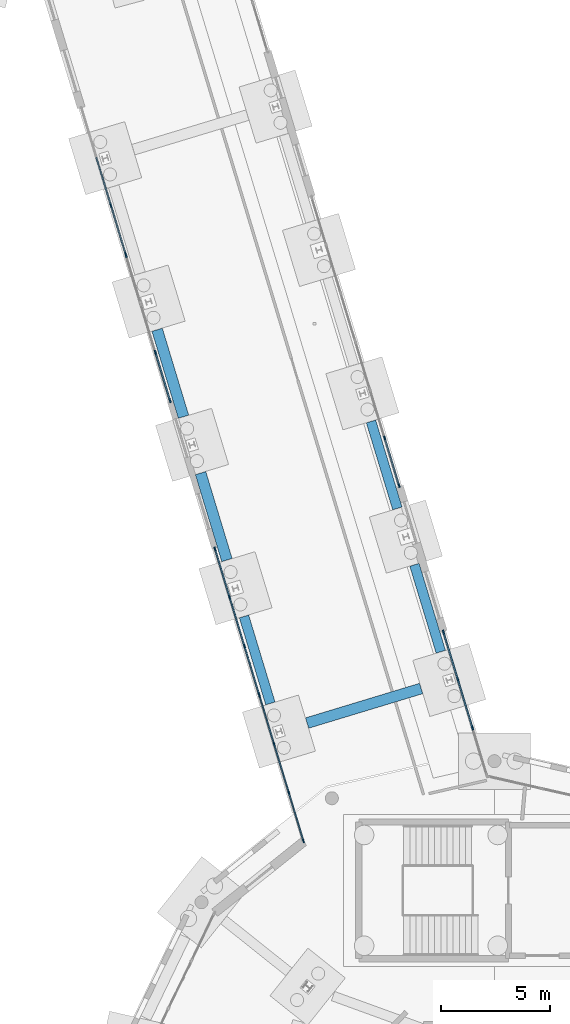
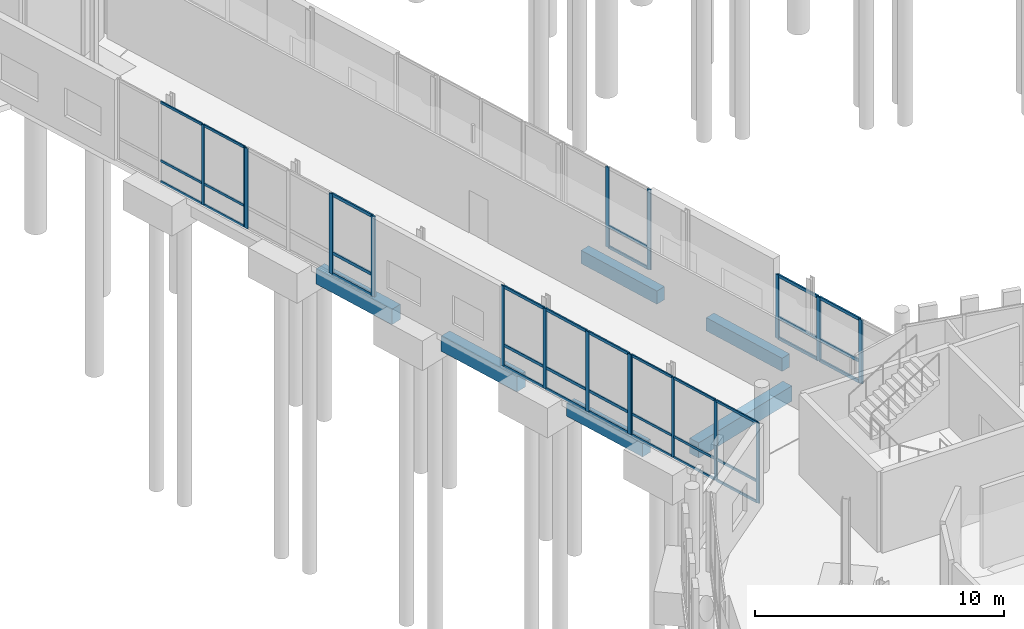
# One storey, part 32 of 113: 53 members, 6 beams, 6 elements without a shape of their own.
"""IFC4 building model written with IfcOpenShell, lengths in metres."""

from ifc_helpers import new_model, si_unit, direction, frame, origin, origin_2d, place, context, subcontext, project, spatial, rectangle, extrude, material, material_profile, profile_set, type_object, element, aggregate, save


model = new_model("IFC4")

# Units and contexts
model_context = context("Model", 3, precision=1e-05, world=origin(), true_north=direction((0.0, 1.0)))
body_context = subcontext(model_context, "Body", "Model", "MODEL_VIEW")
ifc_project = project(units=[si_unit("LENGTHUNIT", "METRE"), si_unit("AREAUNIT", "SQUARE_METRE"), si_unit("VOLUMEUNIT", "CUBIC_METRE"), si_unit("PLANEANGLEUNIT", "RADIAN"), si_unit("MASSUNIT", "GRAM", prefix="KILO")], contexts=[model_context])

# Site, building, storey
site_placement = place(None, origin())
site = spatial("IfcSite", under=ifc_project, at=site_placement, CompositionType="ELEMENT")
building_placement = place(site_placement, origin())
building = spatial("IfcBuilding", under=site, at=building_placement, Name="Wrenclough Park School", CompositionType="ELEMENT")
storey_placement = place(building_placement, origin())
storey = spatial("IfcBuildingStorey", under=building, at=storey_placement, Name="L00", CompositionType="ELEMENT", Elevation=0.0)

# Curtain wall, members
ifc_material_1 = material(Name="Thermally broken aluminium and low-e glass curtain wall", Category="aluminium")
curtain_wall_type_1 = type_object("IfcCurtainWallType", Name="ENV-CW-04", PredefinedType="USERDEFINED", material=ifc_material_1)
curtain_wall_1_placement = place(storey_placement, origin())
curtain_wall_1 = element("IfcCurtainWall", 1, at=curtain_wall_1_placement, inside=storey, type_object=curtain_wall_type_1, Name="L00 recessed curtain wall assembly 003", ObjectType="CURTAIN WALL", PredefinedType="USERDEFINED")
ifc_material_2 = material(Name="Thermally broken anodised aluminium", Category="aluminium")
ifc_material_profile_1 = material_profile(ifc_material_2, rectangle(XDim=0.06005859375, YDim=0.159912109375, at=origin_2d()), Name="AL MULLION 60x160")
ifc_profile_set_1 = profile_set([ifc_material_profile_1], Name="Thermally broken anodised aluminium")
member_type_1 = type_object("IfcMemberType", Name="ENV-CWM-1", PredefinedType="MULLION", material=ifc_profile_set_1)
member_1_placement = place(storey_placement, frame((27.70556640625, 37.073486328125, 0.0), z_axis=(0.0, 0.0, 1.0), x_axis=(-0.957030246116, -0.289988117032, 0.0)))
member_1 = element("IfcMember", 2, at=member_1_placement, type_object=member_type_1, Name="CW-04 mullion 1", PredefinedType="MULLION", context=body_context, shape_type="SweptSolid", body=[
    extrude(rectangle(XDim=0.06005859375, YDim=0.159912109375, at=origin_2d()), origin(), (0.0, 0.0, 1.0), 3.93994140625),
])
member_2_placement = place(storey_placement, frame((27.032470703125, 39.295166015625, 0.0), z_axis=(0.0, 0.0, 1.0), x_axis=(-0.957030246116, -0.289988117032, 0.0)))
member_2 = element("IfcMember", 3, at=member_2_placement, type_object=member_type_1, Name="CW-04 mullion 2", PredefinedType="MULLION", context=body_context, shape_type="SweptSolid", body=[
    extrude(rectangle(XDim=0.06005859375, YDim=0.159912109375, at=origin_2d()), origin(), (0.0, 0.0, 1.0), 3.93994140625),
])
member_3_placement = place(storey_placement, frame((26.3505859375, 41.545654296875, 0.0), z_axis=(0.0, 0.0, 1.0), x_axis=(-0.957030246116, -0.289988117032, 0.0)))
member_3 = element("IfcMember", 4, at=member_3_placement, type_object=member_type_1, Name="CW-04 mullion 3", PredefinedType="MULLION", context=body_context, shape_type="SweptSolid", body=[
    extrude(rectangle(XDim=0.06005859375, YDim=0.159912109375, at=origin_2d()), origin(), (0.0, 0.0, 1.0), 3.93994140625),
])
member_4_placement = place(storey_placement, frame((25.67724609375, 43.767333984375, 0.0), z_axis=(0.0, 0.0, 1.0), x_axis=(-0.957030246116, -0.289988117032, 0.0)))
member_4 = element("IfcMember", 5, at=member_4_placement, type_object=member_type_1, Name="CW-04 mullion 4", PredefinedType="MULLION", context=body_context, shape_type="SweptSolid", body=[
    extrude(rectangle(XDim=0.06005859375, YDim=0.159912109375, at=origin_2d()), origin(), (0.0, 0.0, 1.0), 3.93994140625),
])

curtain_wall_type_2 = type_object("IfcCurtainWallType", Name="ENV-CW-07", PredefinedType="USERDEFINED", material=ifc_material_1)
curtain_wall_2_placement = place(storey_placement, origin())
curtain_wall_2 = element("IfcCurtainWall", 6, at=curtain_wall_2_placement, inside=storey, type_object=curtain_wall_type_2, Name="L00 recessed curtain wall assembly 006", ObjectType="CURTAIN WALL", PredefinedType="USERDEFINED")
member_5_placement = place(storey_placement, frame((19.51318359375, 64.10888671875, 0.0), z_axis=(0.0, 0.0, 1.0), x_axis=(-0.957026311955, -0.290001100386, 0.0)))
member_5 = element("IfcMember", 7, at=member_5_placement, type_object=member_type_1, Name="CW-07 mullion 1", PredefinedType="MULLION", context=body_context, shape_type="SweptSolid", body=[
    extrude(rectangle(XDim=0.06005859375, YDim=0.159912109375, at=origin_2d()), origin(), (0.0, 0.0, 1.0), 3.93994140625),
])
member_6_placement = place(storey_placement, frame((18.83984375, 66.33056640625, 0.0), z_axis=(0.0, 0.0, 1.0), x_axis=(-0.957026311955, -0.290001100386, 0.0)))
member_6 = element("IfcMember", 8, at=member_6_placement, type_object=member_type_1, Name="CW-07 mullion 2", PredefinedType="MULLION", context=body_context, shape_type="SweptSolid", body=[
    extrude(rectangle(XDim=0.06005859375, YDim=0.159912109375, at=origin_2d()), origin(), (0.0, 0.0, 1.0), 3.93994140625),
])

curtain_wall_type_3 = type_object("IfcCurtainWallType", Name="ENV-CW-05", PredefinedType="USERDEFINED", material=ifc_material_1)
curtain_wall_3_placement = place(storey_placement, origin())
curtain_wall_3 = element("IfcCurtainWall", 9, at=curtain_wall_3_placement, inside=storey, type_object=curtain_wall_type_3, Name="L00 recessed curtain wall assembly 004", ObjectType="CURTAIN WALL", PredefinedType="USERDEFINED")
ifc_material_profile_2 = material_profile(ifc_material_2, rectangle(XDim=0.06494140625, YDim=0.179931640625, at=origin_2d()), Name="AL MULLION 65x180")
ifc_profile_set_2 = profile_set([ifc_material_profile_2], Name="Thermally broken anodised aluminium")
member_type_2 = type_object("IfcMemberType", Name="ENV-CWM-2", PredefinedType="MULLION", material=ifc_profile_set_2)
member_7_placement = place(storey_placement, frame((25.65673828125, 43.834716796875, 0.0), z_axis=(0.0, 0.0, 1.0), x_axis=(-0.957026311955, -0.290001100386, 0.0)))
member_7 = element("IfcMember", 10, at=member_7_placement, type_object=member_type_2, Name="CW-05 mullion 1", PredefinedType="MULLION", context=body_context, shape_type="SweptSolid", body=[
    extrude(rectangle(XDim=0.06494140625, YDim=0.179931640625, at=origin_2d()), origin(), (0.0, 0.0, 1.0), 3.93994140625),
])
member_8_placement = place(storey_placement, frame((24.984375, 46.053955078125, 0.0), z_axis=(0.0, 0.0, 1.0), x_axis=(-0.957026311955, -0.290001100386, 0.0)))
member_8 = element("IfcMember", 11, at=member_8_placement, type_object=member_type_2, Name="CW-05 mullion 2", PredefinedType="MULLION", context=body_context, shape_type="SweptSolid", body=[
    extrude(rectangle(XDim=0.06494140625, YDim=0.179931640625, at=origin_2d()), origin(), (0.0, 0.0, 1.0), 3.93994140625),
])
member_9_placement = place(storey_placement, frame((24.30224609375, 48.304443359375, 0.0), z_axis=(0.0, 0.0, 1.0), x_axis=(-0.957026311955, -0.290001100386, 0.0)))
member_9 = element("IfcMember", 12, at=member_9_placement, type_object=member_type_2, Name="CW-05 mullion 3", PredefinedType="MULLION", context=body_context, shape_type="SweptSolid", body=[
    extrude(rectangle(XDim=0.06494140625, YDim=0.179931640625, at=origin_2d()), origin(), (0.0, 0.0, 1.0), 3.93994140625),
])
member_10_placement = place(storey_placement, frame((23.6298828125, 50.523681640625, 0.0), z_axis=(0.0, 0.0, 1.0), x_axis=(-0.957026311955, -0.290001100386, 0.0)))
member_10 = element("IfcMember", 13, at=member_10_placement, type_object=member_type_2, Name="CW-05 mullion 4", PredefinedType="MULLION", context=body_context, shape_type="SweptSolid", body=[
    extrude(rectangle(XDim=0.06494140625, YDim=0.179931640625, at=origin_2d()), origin(), (0.0, 0.0, 1.0), 3.93994140625),
])

curtain_wall_type_4 = type_object("IfcCurtainWallType", Name="ENV-CW-03", PredefinedType="USERDEFINED", material=ifc_material_1)
curtain_wall_4_placement = place(storey_placement, origin())
curtain_wall_4 = element("IfcCurtainWall", 14, at=curtain_wall_4_placement, inside=storey, type_object=curtain_wall_type_4, Name="L00 recessed curtain wall assembly 082", ObjectType="CURTAIN WALL", PredefinedType="USERDEFINED")
member_11_placement = place(storey_placement, frame((31.4453125, 55.628173828125, 0.0), z_axis=(0.0, 0.0, 1.0), x_axis=(0.957028871506, 0.289992653536, 0.0)))
member_11 = element("IfcMember", 15, at=member_11_placement, type_object=member_type_2, Name="CW-03 mullion 3", PredefinedType="MULLION", context=body_context, shape_type="SweptSolid", body=[
    extrude(rectangle(XDim=0.06494140625, YDim=0.179931640625, at=origin_2d()), origin(), (0.0, 0.0, 1.0), 3.93994140625),
])
member_12_placement = place(storey_placement, frame((32.109375, 53.43701171875, 0.0), z_axis=(0.0, 0.0, 1.0), x_axis=(0.957028871506, 0.289992653536, 0.0)))
member_12 = element("IfcMember", 16, at=member_12_placement, type_object=member_type_2, Name="CW-03 mullion 4", PredefinedType="MULLION", context=body_context, shape_type="SweptSolid", body=[
    extrude(rectangle(XDim=0.06494140625, YDim=0.179931640625, at=origin_2d()), origin(), (0.0, 0.0, 1.0), 3.93994140625),
])

curtain_wall_type_5 = type_object("IfcCurtainWallType", Name="ENV-CW-06", PredefinedType="USERDEFINED", material=ifc_material_1)
curtain_wall_5_placement = place(storey_placement, origin())
curtain_wall_5 = element("IfcCurtainWall", 17, at=curtain_wall_5_placement, inside=storey, type_object=curtain_wall_type_5, Name="L00 recessed curtain wall assembly 005", ObjectType="CURTAIN WALL", PredefinedType="USERDEFINED")
ifc_material_profile_3 = material_profile(ifc_material_2, rectangle(XDim=0.070068359375, YDim=0.199951171875, at=origin_2d()), Name="AL MULLION 70x200")
ifc_profile_set_3 = profile_set([ifc_material_profile_3], Name="Thermally broken anodised aluminium")
member_type_3 = type_object("IfcMemberType", Name="ENV-CWM-3", PredefinedType="MULLION", material=ifc_profile_set_3)
member_13_placement = place(storey_placement, frame((21.559814453125, 57.354736328125, 0.0), z_axis=(0.0, 0.0, 1.0), x_axis=(-0.957030246116, -0.289988117032, 0.0)))
member_13 = element("IfcMember", 18, at=member_13_placement, type_object=member_type_3, Name="CW-06 mullion 1", PredefinedType="MULLION", context=body_context, shape_type="SweptSolid", body=[
    extrude(rectangle(XDim=0.070068359375, YDim=0.199951171875, at=origin_2d()), origin(), (0.0, 0.0, 1.0), 3.93994140625),
])
member_14_placement = place(storey_placement, frame((20.887939453125, 59.57177734375, 0.0), z_axis=(0.0, 0.0, 1.0), x_axis=(-0.957030246116, -0.289988117032, 0.0)))
member_14 = element("IfcMember", 19, at=member_14_placement, type_object=member_type_3, Name="CW-06 mullion 2", PredefinedType="MULLION", context=body_context, shape_type="SweptSolid", body=[
    extrude(rectangle(XDim=0.070068359375, YDim=0.199951171875, at=origin_2d()), origin(), (0.0, 0.0, 1.0), 3.93994140625),
])
member_15_placement = place(storey_placement, frame((19.534423828125, 64.0390625, 0.0), z_axis=(0.0, 0.0, 1.0), x_axis=(-0.957030246116, -0.289988117032, 0.0)))
member_15 = element("IfcMember", 20, at=member_15_placement, type_object=member_type_3, Name="CW-06 mullion 4", PredefinedType="MULLION", context=body_context, shape_type="SweptSolid", body=[
    extrude(rectangle(XDim=0.070068359375, YDim=0.199951171875, at=origin_2d()), origin(), (0.0, 0.0, 1.0), 3.93994140625),
])

curtain_wall_6_placement = place(storey_placement, origin())
curtain_wall_6 = element("IfcCurtainWall", 21, at=curtain_wall_6_placement, inside=storey, type_object=curtain_wall_type_1, Name="L00 recessed curtain wall assembly 083", ObjectType="CURTAIN WALL", PredefinedType="USERDEFINED")
member_16_placement = place(storey_placement, frame((34.15380859375, 46.6904296875, 0.0), z_axis=(0.0, 0.0, 1.0), x_axis=(0.957030078705, 0.289988669528, 0.0)))
member_16 = element("IfcMember", 22, at=member_16_placement, type_object=member_type_3, Name="CW-04 mullion 1", PredefinedType="MULLION", context=body_context, shape_type="SweptSolid", body=[
    extrude(rectangle(XDim=0.070068359375, YDim=0.199951171875, at=origin_2d()), origin(), (0.0, 0.0, 1.0), 3.132080078125),
])
member_17_placement = place(storey_placement, frame((34.817138671875, 44.501708984375, 0.0), z_axis=(0.0, 0.0, 1.0), x_axis=(0.957030078705, 0.289988669528, 0.0)))
member_17 = element("IfcMember", 23, at=member_17_placement, type_object=member_type_3, Name="CW-04 mullion 2", PredefinedType="MULLION", context=body_context, shape_type="SweptSolid", body=[
    extrude(rectangle(XDim=0.070068359375, YDim=0.199951171875, at=origin_2d()), origin(), (0.0, 0.0, 1.0), 3.132080078125),
])
member_18_placement = place(storey_placement, frame((35.490478515625, 42.279541015625, 0.0), z_axis=(0.0, 0.0, 1.0), x_axis=(0.957030078705, 0.289988669528, 0.0)))
member_18 = element("IfcMember", 24, at=member_18_placement, type_object=member_type_3, Name="CW-04 mullion 3", PredefinedType="MULLION", context=body_context, shape_type="SweptSolid", body=[
    extrude(rectangle(XDim=0.070068359375, YDim=0.199951171875, at=origin_2d()), origin(), (0.0, 0.0, 1.0), 3.132080078125),
])

# Member
ifc_material_profile_4 = material_profile(ifc_material_2, rectangle(XDim=0.06005859375, YDim=0.1201171875, at=origin_2d()), Name="AL TRANSOM 60x120")
ifc_profile_set_4 = profile_set([ifc_material_profile_4], Name="Thermally broken anodised aluminium")
member_type_4 = type_object("IfcMemberType", Name="ENV-CWT-1", PredefinedType="USERDEFINED", material=ifc_profile_set_4)
member_19_placement = place(storey_placement, frame((27.697021484375, 37.10205078125, 0.030029296875), z_axis=(-0.290070314408, 0.957005335774, 0.0), x_axis=(-0.957005335774, -0.290070314408, 0.0)))
member_19 = element("IfcMember", 25, at=member_19_placement, type_object=member_type_4, Name="CW-04 transom 1.1", ObjectType="TRANSOM", PredefinedType="USERDEFINED", context=body_context, shape_type="SweptSolid", body=[
    extrude(rectangle(XDim=0.06005859375, YDim=0.1201171875, at=origin_2d()), origin(), (0.0, 0.0, 1.0), 2.261474609375),
])

member_20_placement = place(storey_placement, frame((27.697021484375, 37.10205078125, 1.050048828125), z_axis=(-0.290070314408, 0.957005335774, 0.0), x_axis=(-0.957005335774, -0.290070314408, 0.0)))
member_20 = element("IfcMember", 26, at=member_20_placement, type_object=member_type_4, Name="CW-04 transom 1.2", ObjectType="TRANSOM", PredefinedType="USERDEFINED", context=body_context, shape_type="SweptSolid", body=[
    extrude(rectangle(XDim=0.06005859375, YDim=0.1201171875, at=origin_2d()), origin(), (0.0, 0.0, 1.0), 2.261474609375),
])

member_21_placement = place(storey_placement, frame((27.697021484375, 37.10205078125, 3.909912109375), z_axis=(-0.290070314408, 0.957005335774, 0.0), x_axis=(-0.957005335774, -0.290070314408, 0.0)))
member_21 = element("IfcMember", 27, at=member_21_placement, type_object=member_type_4, Name="CW-04 transom 1.3", ObjectType="TRANSOM", PredefinedType="USERDEFINED", context=body_context, shape_type="SweptSolid", body=[
    extrude(rectangle(XDim=0.06005859375, YDim=0.1201171875, at=origin_2d()), origin(), (0.0, 0.0, 1.0), 2.261474609375),
])

member_22_placement = place(storey_placement, frame((27.023681640625, 39.32373046875, 0.030029296875), z_axis=(-0.289995567696, 0.957027988471, 0.0), x_axis=(-0.957027988471, -0.289995567696, 0.0)))
member_22 = element("IfcMember", 28, at=member_22_placement, type_object=member_type_4, Name="CW-04 transom 2.1", ObjectType="TRANSOM", PredefinedType="USERDEFINED", context=body_context, shape_type="SweptSolid", body=[
    extrude(rectangle(XDim=0.06005859375, YDim=0.1201171875, at=origin_2d()), origin(), (0.0, 0.0, 1.0), 2.29150390625),
])

member_23_placement = place(storey_placement, frame((27.023681640625, 39.32373046875, 1.050048828125), z_axis=(-0.289995567696, 0.957027988471, 0.0), x_axis=(-0.957027988471, -0.289995567696, 0.0)))
member_23 = element("IfcMember", 29, at=member_23_placement, type_object=member_type_4, Name="CW-04 transom 2.2", ObjectType="TRANSOM", PredefinedType="USERDEFINED", context=body_context, shape_type="SweptSolid", body=[
    extrude(rectangle(XDim=0.06005859375, YDim=0.1201171875, at=origin_2d()), origin(), (0.0, 0.0, 1.0), 2.29150390625),
])

member_24_placement = place(storey_placement, frame((27.023681640625, 39.32373046875, 3.909912109375), z_axis=(-0.289995567696, 0.957027988471, 0.0), x_axis=(-0.957027988471, -0.289995567696, 0.0)))
member_24 = element("IfcMember", 30, at=member_24_placement, type_object=member_type_4, Name="CW-04 transom 2.3", ObjectType="TRANSOM", PredefinedType="USERDEFINED", context=body_context, shape_type="SweptSolid", body=[
    extrude(rectangle(XDim=0.06005859375, YDim=0.1201171875, at=origin_2d()), origin(), (0.0, 0.0, 1.0), 2.29150390625),
])

member_25_placement = place(storey_placement, frame((26.341796875, 41.57421875, 0.030029296875), z_axis=(-0.289971439809, 0.957035299294, 0.0), x_axis=(-0.957035299294, -0.289971439809, 0.0)))
member_25 = element("IfcMember", 31, at=member_25_placement, type_object=member_type_4, Name="CW-04 transom 3.1", ObjectType="TRANSOM", PredefinedType="USERDEFINED", context=body_context, shape_type="SweptSolid", body=[
    extrude(rectangle(XDim=0.06005859375, YDim=0.1201171875, at=origin_2d()), origin(), (0.0, 0.0, 1.0), 2.261474609375),
])

member_26_placement = place(storey_placement, frame((26.341796875, 41.57421875, 1.050048828125), z_axis=(-0.289971439809, 0.957035299294, 0.0), x_axis=(-0.957035299294, -0.289971439809, 0.0)))
member_26 = element("IfcMember", 32, at=member_26_placement, type_object=member_type_4, Name="CW-04 transom 3.2", ObjectType="TRANSOM", PredefinedType="USERDEFINED", context=body_context, shape_type="SweptSolid", body=[
    extrude(rectangle(XDim=0.06005859375, YDim=0.1201171875, at=origin_2d()), origin(), (0.0, 0.0, 1.0), 2.261474609375),
])

member_27_placement = place(storey_placement, frame((26.341796875, 41.57421875, 3.909912109375), z_axis=(-0.289971439809, 0.957035299294, 0.0), x_axis=(-0.957035299294, -0.289971439809, 0.0)))
member_27 = element("IfcMember", 33, at=member_27_placement, type_object=member_type_4, Name="CW-04 transom 3.3", ObjectType="TRANSOM", PredefinedType="USERDEFINED", context=body_context, shape_type="SweptSolid", body=[
    extrude(rectangle(XDim=0.06005859375, YDim=0.1201171875, at=origin_2d()), origin(), (0.0, 0.0, 1.0), 2.261474609375),
])

aggregate(curtain_wall_1, [member_1, member_2, member_3, member_4, member_19, member_20, member_21, member_22, member_23, member_24, member_25, member_26, member_27])

member_28_placement = place(storey_placement, frame((19.50439453125, 64.1376953125, 0.030029296875), z_axis=(-0.289971439809, 0.957035299294, 0.0), x_axis=(-0.957035299294, -0.289971439809, 0.0)))
member_28 = element("IfcMember", 34, at=member_28_placement, type_object=member_type_4, Name="CW-07 transom 1.1", ObjectType="TRANSOM", PredefinedType="USERDEFINED", context=body_context, shape_type="SweptSolid", body=[
    extrude(rectangle(XDim=0.06005859375, YDim=0.1201171875, at=origin_2d()), origin(), (0.0, 0.0, 1.0), 2.261474609375),
])

member_29_placement = place(storey_placement, frame((19.50439453125, 64.1376953125, 1.050048828125), z_axis=(-0.289971439809, 0.957035299294, 0.0), x_axis=(-0.957035299294, -0.289971439809, 0.0)))
member_29 = element("IfcMember", 35, at=member_29_placement, type_object=member_type_4, Name="CW-07 transom 1.2", ObjectType="TRANSOM", PredefinedType="USERDEFINED", context=body_context, shape_type="SweptSolid", body=[
    extrude(rectangle(XDim=0.06005859375, YDim=0.1201171875, at=origin_2d()), origin(), (0.0, 0.0, 1.0), 2.261474609375),
])

member_30_placement = place(storey_placement, frame((19.50439453125, 64.1376953125, 3.909912109375), z_axis=(-0.289971439809, 0.957035299294, 0.0), x_axis=(-0.957035299294, -0.289971439809, 0.0)))
member_30 = element("IfcMember", 36, at=member_30_placement, type_object=member_type_4, Name="CW-07 transom 1.3", ObjectType="TRANSOM", PredefinedType="USERDEFINED", context=body_context, shape_type="SweptSolid", body=[
    extrude(rectangle(XDim=0.06005859375, YDim=0.1201171875, at=origin_2d()), origin(), (0.0, 0.0, 1.0), 2.261474609375),
])

member_31_placement = place(storey_placement, frame((18.8310546875, 66.359375, 0.030029296875), z_axis=(-0.289927547607, 0.957048597062, 0.0), x_axis=(-0.957048597062, -0.289927547607, 0.0)))
member_31 = element("IfcMember", 37, at=member_31_placement, type_object=member_type_4, Name="CW-07 transom 2.1", ObjectType="TRANSOM", PredefinedType="USERDEFINED", context=body_context, shape_type="SweptSolid", body=[
    extrude(rectangle(XDim=0.06005859375, YDim=0.1201171875, at=origin_2d()), origin(), (0.0, 0.0, 1.0), 2.291259765625),
])

member_32_placement = place(storey_placement, frame((18.8310546875, 66.359375, 1.050048828125), z_axis=(-0.289927547607, 0.957048597062, 0.0), x_axis=(-0.957048597062, -0.289927547607, 0.0)))
member_32 = element("IfcMember", 38, at=member_32_placement, type_object=member_type_4, Name="CW-07 transom 2.2", ObjectType="TRANSOM", PredefinedType="USERDEFINED", context=body_context, shape_type="SweptSolid", body=[
    extrude(rectangle(XDim=0.06005859375, YDim=0.1201171875, at=origin_2d()), origin(), (0.0, 0.0, 1.0), 2.291259765625),
])

member_33_placement = place(storey_placement, frame((18.8310546875, 66.359375, 3.909912109375), z_axis=(-0.289927547607, 0.957048597062, 0.0), x_axis=(-0.957048597062, -0.289927547607, 0.0)))
member_33 = element("IfcMember", 39, at=member_33_placement, type_object=member_type_4, Name="CW-07 transom 2.3", ObjectType="TRANSOM", PredefinedType="USERDEFINED", context=body_context, shape_type="SweptSolid", body=[
    extrude(rectangle(XDim=0.06005859375, YDim=0.1201171875, at=origin_2d()), origin(), (0.0, 0.0, 1.0), 2.291259765625),
])

aggregate(curtain_wall_2, [member_5, member_6, member_28, member_29, member_30, member_31, member_32, member_33])

ifc_material_profile_5 = material_profile(ifc_material_2, rectangle(XDim=0.06494140625, YDim=0.139892578125, at=origin_2d()), Name="AL TRANSOM 65x140")
ifc_profile_set_5 = profile_set([ifc_material_profile_5], Name="Thermally broken anodised aluminium")
member_type_5 = type_object("IfcMemberType", Name="ENV-CWT-2", PredefinedType="USERDEFINED", material=ifc_profile_set_5)
member_34_placement = place(storey_placement, frame((25.6474609375, 43.86572265625, 0.032470703125), z_axis=(-0.290049479451, 0.957011650645, 0.0), x_axis=(-0.957011650645, -0.290049479451, 0.0)))
member_34 = element("IfcMember", 40, at=member_34_placement, type_object=member_type_5, Name="CW-05 transom 1.1", ObjectType="TRANSOM", PredefinedType="USERDEFINED", context=body_context, shape_type="SweptSolid", body=[
    extrude(rectangle(XDim=0.06494140625, YDim=0.139892578125, at=origin_2d()), origin(), (0.0, 0.0, 1.0), 2.254150390625),
])

member_35_placement = place(storey_placement, frame((25.6474609375, 43.86572265625, 1.050048828125), z_axis=(-0.290049479451, 0.957011650645, 0.0), x_axis=(-0.957011650645, -0.290049479451, 0.0)))
member_35 = element("IfcMember", 41, at=member_35_placement, type_object=member_type_5, Name="CW-05 transom 1.2", ObjectType="TRANSOM", PredefinedType="USERDEFINED", context=body_context, shape_type="SweptSolid", body=[
    extrude(rectangle(XDim=0.06494140625, YDim=0.139892578125, at=origin_2d()), origin(), (0.0, 0.0, 1.0), 2.254150390625),
])

member_36_placement = place(storey_placement, frame((25.6474609375, 43.86572265625, 3.907470703125), z_axis=(-0.290049479451, 0.957011650645, 0.0), x_axis=(-0.957011650645, -0.290049479451, 0.0)))
member_36 = element("IfcMember", 42, at=member_36_placement, type_object=member_type_5, Name="CW-05 transom 1.3", ObjectType="TRANSOM", PredefinedType="USERDEFINED", context=body_context, shape_type="SweptSolid", body=[
    extrude(rectangle(XDim=0.06494140625, YDim=0.139892578125, at=origin_2d()), origin(), (0.0, 0.0, 1.0), 2.254150390625),
])

member_37_placement = place(storey_placement, frame((24.974853515625, 46.085205078125, 0.032470703125), z_axis=(-0.29000146831, 0.957026200466, 0.0), x_axis=(-0.957026200466, -0.29000146831, 0.0)))
member_37 = element("IfcMember", 43, at=member_37_placement, type_object=member_type_5, Name="CW-05 transom 2.1", ObjectType="TRANSOM", PredefinedType="USERDEFINED", context=body_context, shape_type="SweptSolid", body=[
    extrude(rectangle(XDim=0.06494140625, YDim=0.139892578125, at=origin_2d()), origin(), (0.0, 0.0, 1.0), 2.286376953125),
])

member_38_placement = place(storey_placement, frame((24.974853515625, 46.085205078125, 1.050048828125), z_axis=(-0.29000146831, 0.957026200466, 0.0), x_axis=(-0.957026200466, -0.29000146831, 0.0)))
member_38 = element("IfcMember", 44, at=member_38_placement, type_object=member_type_5, Name="CW-05 transom 2.2", ObjectType="TRANSOM", PredefinedType="USERDEFINED", context=body_context, shape_type="SweptSolid", body=[
    extrude(rectangle(XDim=0.06494140625, YDim=0.139892578125, at=origin_2d()), origin(), (0.0, 0.0, 1.0), 2.286376953125),
])

member_39_placement = place(storey_placement, frame((24.974853515625, 46.085205078125, 3.907470703125), z_axis=(-0.29000146831, 0.957026200466, 0.0), x_axis=(-0.957026200466, -0.29000146831, 0.0)))
member_39 = element("IfcMember", 45, at=member_39_placement, type_object=member_type_5, Name="CW-05 transom 2.3", ObjectType="TRANSOM", PredefinedType="USERDEFINED", context=body_context, shape_type="SweptSolid", body=[
    extrude(rectangle(XDim=0.06494140625, YDim=0.139892578125, at=origin_2d()), origin(), (0.0, 0.0, 1.0), 2.286376953125),
])

member_40_placement = place(storey_placement, frame((24.29296875, 48.33544921875, 0.032470703125), z_axis=(-0.290049479451, 0.957011650645, 0.0), x_axis=(-0.957011650645, -0.290049479451, 0.0)))
member_40 = element("IfcMember", 46, at=member_40_placement, type_object=member_type_5, Name="CW-05 transom 3.1", ObjectType="TRANSOM", PredefinedType="USERDEFINED", context=body_context, shape_type="SweptSolid", body=[
    extrude(rectangle(XDim=0.06494140625, YDim=0.139892578125, at=origin_2d()), origin(), (0.0, 0.0, 1.0), 2.254150390625),
])

member_41_placement = place(storey_placement, frame((24.29296875, 48.33544921875, 1.050048828125), z_axis=(-0.290049479451, 0.957011650645, 0.0), x_axis=(-0.957011650645, -0.290049479451, 0.0)))
member_41 = element("IfcMember", 47, at=member_41_placement, type_object=member_type_5, Name="CW-05 transom 3.2", ObjectType="TRANSOM", PredefinedType="USERDEFINED", context=body_context, shape_type="SweptSolid", body=[
    extrude(rectangle(XDim=0.06494140625, YDim=0.139892578125, at=origin_2d()), origin(), (0.0, 0.0, 1.0), 2.254150390625),
])

member_42_placement = place(storey_placement, frame((24.29296875, 48.33544921875, 3.907470703125), z_axis=(-0.290049479451, 0.957011650645, 0.0), x_axis=(-0.957011650645, -0.290049479451, 0.0)))
member_42 = element("IfcMember", 48, at=member_42_placement, type_object=member_type_5, Name="CW-05 transom 3.3", ObjectType="TRANSOM", PredefinedType="USERDEFINED", context=body_context, shape_type="SweptSolid", body=[
    extrude(rectangle(XDim=0.06494140625, YDim=0.139892578125, at=origin_2d()), origin(), (0.0, 0.0, 1.0), 2.254150390625),
])

aggregate(curtain_wall_3, [member_7, member_8, member_9, member_10, member_34, member_35, member_36, member_37, member_38, member_39, member_40, member_41, member_42])

member_43_placement = place(storey_placement, frame((31.454833984375, 55.59716796875, 0.032470703125), z_axis=(0.289964749564, -0.957037326341, 0.0), x_axis=(0.957037326341, 0.289964749564, 0.0)))
member_43 = element("IfcMember", 49, at=member_43_placement, type_object=member_type_5, Name="CW-03 transom 3.1", ObjectType="TRANSOM", PredefinedType="USERDEFINED", context=body_context, shape_type="SweptSolid", body=[
    extrude(rectangle(XDim=0.06494140625, YDim=0.139892578125, at=origin_2d()), origin(), (0.0, 0.0, 1.0), 2.224365234375),
])

member_44_placement = place(storey_placement, frame((31.454833984375, 55.59716796875, 1.050048828125), z_axis=(0.289964749564, -0.957037326341, 0.0), x_axis=(0.957037326341, 0.289964749564, 0.0)))
member_44 = element("IfcMember", 50, at=member_44_placement, type_object=member_type_5, Name="CW-03 transom 3.2", ObjectType="TRANSOM", PredefinedType="USERDEFINED", context=body_context, shape_type="SweptSolid", body=[
    extrude(rectangle(XDim=0.06494140625, YDim=0.139892578125, at=origin_2d()), origin(), (0.0, 0.0, 1.0), 2.224365234375),
])

aggregate(curtain_wall_4, [member_11, member_12, member_43, member_44])

ifc_material_profile_6 = material_profile(ifc_material_2, rectangle(XDim=0.070068359375, YDim=0.14990234375, at=origin_2d()), Name="AL TRANSOM 70x150")
ifc_profile_set_6 = profile_set([ifc_material_profile_6], Name="Thermally broken anodised aluminium")
member_type_6 = type_object("IfcMemberType", Name="ENV-CWT-3", PredefinedType="USERDEFINED", material=ifc_profile_set_6)
member_45_placement = place(storey_placement, frame((21.549560546875, 57.38818359375, 0.034912109375), z_axis=(-0.289928977127, 0.957048164003, 0.0), x_axis=(-0.957048164003, -0.289928977127, 0.0)))
member_45 = element("IfcMember", 51, at=member_45_placement, type_object=member_type_6, Name="CW-06 transom 1.1", ObjectType="TRANSOM", PredefinedType="USERDEFINED", context=body_context, shape_type="SweptSolid", body=[
    extrude(rectangle(XDim=0.070068359375, YDim=0.14990234375, at=origin_2d()), origin(), (0.0, 0.0, 1.0), 2.24658203125),
])

member_46_placement = place(storey_placement, frame((21.549560546875, 57.38818359375, 1.050048828125), z_axis=(-0.289928977127, 0.957048164003, 0.0), x_axis=(-0.957048164003, -0.289928977127, 0.0)))
member_46 = element("IfcMember", 52, at=member_46_placement, type_object=member_type_6, Name="CW-06 transom 1.2", ObjectType="TRANSOM", PredefinedType="USERDEFINED", context=body_context, shape_type="SweptSolid", body=[
    extrude(rectangle(XDim=0.070068359375, YDim=0.14990234375, at=origin_2d()), origin(), (0.0, 0.0, 1.0), 2.24658203125),
])

member_47_placement = place(storey_placement, frame((21.549560546875, 57.38818359375, 3.905029296875), z_axis=(-0.289928977127, 0.957048164003, 0.0), x_axis=(-0.957048164003, -0.289928977127, 0.0)))
member_47 = element("IfcMember", 53, at=member_47_placement, type_object=member_type_6, Name="CW-06 transom 1.3", ObjectType="TRANSOM", PredefinedType="USERDEFINED", context=body_context, shape_type="SweptSolid", body=[
    extrude(rectangle(XDim=0.070068359375, YDim=0.14990234375, at=origin_2d()), origin(), (0.0, 0.0, 1.0), 2.24658203125),
])

aggregate(curtain_wall_5, [member_13, member_14, member_15, member_45, member_46, member_47])

member_48_placement = place(storey_placement, frame((34.1640625, 46.656982421875, 0.034912109375), z_axis=(0.289943212598, -0.957043851382, 0.0), x_axis=(0.957043851382, 0.289943212598, 0.0)))
member_48 = element("IfcMember", 54, at=member_48_placement, type_object=member_type_6, Name="CW-04 transom 1.1", ObjectType="TRANSOM", PredefinedType="USERDEFINED", context=body_context, shape_type="SweptSolid", body=[
    extrude(rectangle(XDim=0.070068359375, YDim=0.14990234375, at=origin_2d()), origin(), (0.0, 0.0, 1.0), 2.217041015625),
])

member_49_placement = place(storey_placement, frame((34.1640625, 46.656982421875, 1.050048828125), z_axis=(0.289943212598, -0.957043851382, 0.0), x_axis=(0.957043851382, 0.289943212598, 0.0)))
member_49 = element("IfcMember", 55, at=member_49_placement, type_object=member_type_6, Name="CW-04 transom 1.2", ObjectType="TRANSOM", PredefinedType="USERDEFINED", context=body_context, shape_type="SweptSolid", body=[
    extrude(rectangle(XDim=0.070068359375, YDim=0.14990234375, at=origin_2d()), origin(), (0.0, 0.0, 1.0), 2.217041015625),
])

member_50_placement = place(storey_placement, frame((34.1640625, 46.656982421875, 3.096923828125), z_axis=(0.289943212598, -0.957043851382, 0.0), x_axis=(0.957043851382, 0.289943212598, 0.0)))
member_50 = element("IfcMember", 56, at=member_50_placement, type_object=member_type_6, Name="CW-04 transom 1.3", ObjectType="TRANSOM", PredefinedType="USERDEFINED", context=body_context, shape_type="SweptSolid", body=[
    extrude(rectangle(XDim=0.070068359375, YDim=0.14990234375, at=origin_2d()), origin(), (0.0, 0.0, 1.0), 2.217041015625),
])

member_51_placement = place(storey_placement, frame((34.8271484375, 44.46826171875, 0.034912109375), z_axis=(0.289992351194, -0.957028963119, 0.0), x_axis=(0.957028963119, 0.289992351194, 0.0)))
member_51 = element("IfcMember", 57, at=member_51_placement, type_object=member_type_6, Name="CW-04 transom 2.1", ObjectType="TRANSOM", PredefinedType="USERDEFINED", context=body_context, shape_type="SweptSolid", body=[
    extrude(rectangle(XDim=0.070068359375, YDim=0.14990234375, at=origin_2d()), origin(), (0.0, 0.0, 1.0), 2.251953125),
])

member_52_placement = place(storey_placement, frame((34.8271484375, 44.46826171875, 1.050048828125), z_axis=(0.289992351194, -0.957028963119, 0.0), x_axis=(0.957028963119, 0.289992351194, 0.0)))
member_52 = element("IfcMember", 58, at=member_52_placement, type_object=member_type_6, Name="CW-04 transom 2.2", ObjectType="TRANSOM", PredefinedType="USERDEFINED", context=body_context, shape_type="SweptSolid", body=[
    extrude(rectangle(XDim=0.070068359375, YDim=0.14990234375, at=origin_2d()), origin(), (0.0, 0.0, 1.0), 2.251953125),
])

member_53_placement = place(storey_placement, frame((34.8271484375, 44.46826171875, 3.096923828125), z_axis=(0.289992351194, -0.957028963119, 0.0), x_axis=(0.957028963119, 0.289992351194, 0.0)))
member_53 = element("IfcMember", 59, at=member_53_placement, type_object=member_type_6, Name="CW-04 transom 2.3", ObjectType="TRANSOM", PredefinedType="USERDEFINED", context=body_context, shape_type="SweptSolid", body=[
    extrude(rectangle(XDim=0.070068359375, YDim=0.14990234375, at=origin_2d()), origin(), (0.0, 0.0, 1.0), 2.251953125),
])

aggregate(curtain_wall_6, [member_16, member_17, member_18, member_48, member_49, member_50, member_51, member_52, member_53])

# Beams
ifc_material_3 = material(Name="Concrete C35/45", Category="concrete")
ifc_material_profile_7 = material_profile(ifc_material_3, rectangle(XDim=0.449951171875, YDim=0.64990234375, at=origin_2d()), Name="RC GROUND 450x650")
ifc_profile_set_7 = profile_set([ifc_material_profile_7], Name="Concrete C35/45")
beam_type_1 = type_object("IfcBeamType", Name="STR-BM-GTB1", PredefinedType="USERDEFINED", material=ifc_profile_set_7)
for number, where, z_axis, x_axis, name in (
    (60, (26.182373046875, 43.41064453125, -0.625), (-0.290020362386, 0.957020474912, 0.0), (-0.957020474912, -0.290020362386, 0.0), "Reinforced concrete ground tie beam 129"),
    (61, (34.030029296875, 45.78857421875, -0.625), (-0.290020362386, 0.957020474912, 0.0), (-0.957020474912, -0.290020362386, 0.0), "Reinforced concrete ground tie beam 131"),
    (62, (32.030029296875, 52.388671875, -0.625), (-0.290020362386, 0.957020474912, 0.0), (-0.957020474912, -0.290020362386, 0.0), "Reinforced concrete ground tie beam 133"),
):
    element("IfcBeam", number, at=place(storey_placement, frame(where, z_axis=z_axis, x_axis=x_axis)), inside=storey, type_object=beam_type_1, Name=name, ObjectType="GROUND TIE BEAM", PredefinedType="USERDEFINED", context=body_context, shape_type="SweptSolid", body=[
        extrude(rectangle(XDim=0.449951171875, YDim=0.64990234375, at=origin_2d()), origin(), (0.0, 0.0, 1.0), 4.180419921875),
    ])
ifc_material_profile_8 = material_profile(ifc_material_3, rectangle(XDim=0.5, YDim=0.75, at=origin_2d()), Name="RC GROUND 500x750")
ifc_profile_set_8 = profile_set([ifc_material_profile_8], Name="Concrete C35/45")
beam_type_2 = type_object("IfcBeamType", Name="STR-BM-GTB2", PredefinedType="USERDEFINED", material=ifc_profile_set_8)
beam_1_placement = place(storey_placement, frame((27.875732421875, 42.5048828125, -0.675048828125), z_axis=(0.957031143535, 0.289985155316, 0.0), x_axis=(-0.289985155316, 0.957031143535, 0.0)))
element("IfcBeam", 63, at=beam_1_placement, inside=storey, type_object=beam_type_2, Name="Reinforced concrete ground tie beam 130", ObjectType="GROUND TIE BEAM", PredefinedType="USERDEFINED", context=body_context, shape_type="SweptSolid", body=[
    extrude(rectangle(XDim=0.5, YDim=0.75, at=origin_2d()), origin(), (0.0, 0.0, 1.0), 5.484130859375),
])
beam_2_placement = place(storey_placement, frame((24.182373046875, 50.010498046875, -0.675048828125), z_axis=(-0.29000415368, 0.957025386731, 0.0), x_axis=(-0.957025386731, -0.29000415368, 0.0)))
element("IfcBeam", 64, at=beam_2_placement, inside=storey, type_object=beam_type_2, Name="Reinforced concrete ground tie beam 132", ObjectType="GROUND TIE BEAM", PredefinedType="USERDEFINED", context=body_context, shape_type="SweptSolid", body=[
    extrude(rectangle(XDim=0.5, YDim=0.75, at=origin_2d()), origin(), (0.0, 0.0, 1.0), 4.1806640625),
])
beam_3_placement = place(storey_placement, frame((22.182373046875, 56.610595703125, -0.675048828125), z_axis=(-0.290020362386, 0.957020474912, 0.0), x_axis=(-0.957020474912, -0.290020362386, 0.0)))
element("IfcBeam", 65, at=beam_3_placement, inside=storey, type_object=beam_type_2, Name="Reinforced concrete ground tie beam 134", ObjectType="GROUND TIE BEAM", PredefinedType="USERDEFINED", context=body_context, shape_type="SweptSolid", body=[
    extrude(rectangle(XDim=0.5, YDim=0.75, at=origin_2d()), origin(), (0.0, 0.0, 1.0), 4.180419921875),
])

save(model, "model.ifc")
